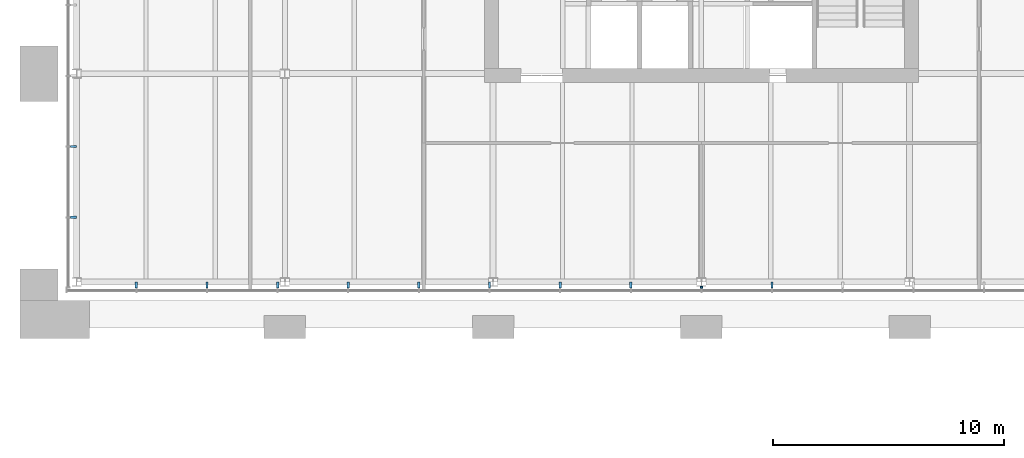
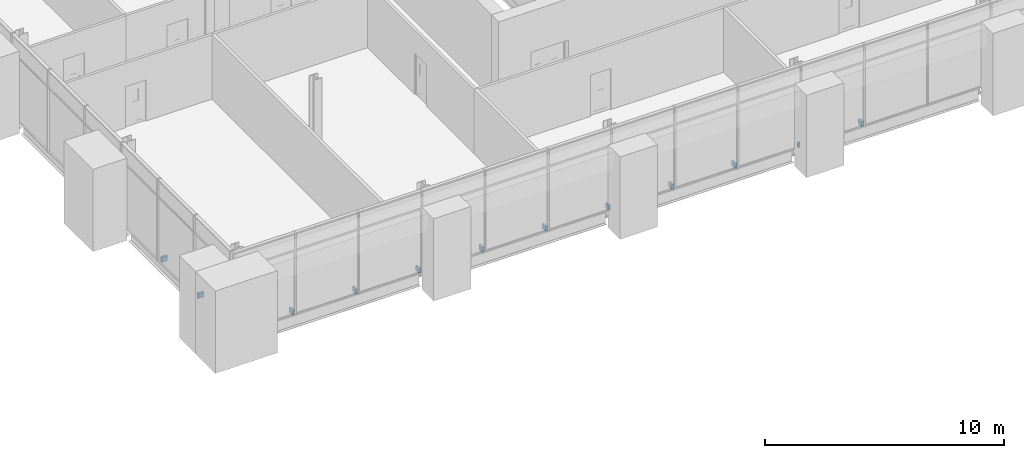
# One storey, part 32 of 43: 12 discrete accessories.
"""IFC4 building model written with IfcOpenShell, lengths in metres."""

import ifcopenshell
import ifcopenshell.guid

model = None  # the IFC model being written
_history = None  # IfcOwnerHistory: only IFC2X3 demands one
_inside = {}  # id of a spatial element -> (the spatial element, [elements in it])
_under = {}  # id of a project, library or spatial element -> (it, [spatial elements below it])
_declared = {}  # id of a project -> (the project, [libraries it declares])
_typed = {}  # id of a type object -> (the type object, [elements of that type])
_made_of = {}  # id of a material, layer set ... -> (it, [elements and type objects made of it])


def new_model(schema):
    """Start an empty IFC model of exactly this schema.

    Asked for "IFC4X3", IfcOpenShell would pick the latest addendum, in which some entities
    have other attributes; the version numbers below select the first issue.
    IFC2X3 requires an IfcOwnerHistory on every rooted entity: one is made here for all.
    """
    global model, _history
    if schema == "IFC4X3":
        model = ifcopenshell.file(schema_version=(4, 3, 0, 0))
    else:
        model = ifcopenshell.file(schema=schema)
    _inside.clear()
    _under.clear()
    _declared.clear()
    _typed.clear()
    _made_of.clear()
    _history = None
    if model.schema == "IFC2X3":
        org = make("IfcOrganization", Name="unknown")
        user = make(
            "IfcPersonAndOrganization",
            ThePerson=make("IfcPerson", FamilyName="unknown"),
            TheOrganization=org,
        )
        app = make(
            "IfcApplication",
            ApplicationDeveloper=org,
            Version="unknown",
            ApplicationFullName="unknown",
            ApplicationIdentifier="unknown",
        )
        _history = make(
            "IfcOwnerHistory",
            OwningUser=user,
            OwningApplication=app,
            ChangeAction="ADDED",
            CreationDate=0,
        )
    return model


def make(cls, **values):
    """One entity of the class cls with the attributes given. An attribute that is None is left unset."""
    return model.create_entity(
        cls, **{name: value for name, value in values.items() if value is not None}
    )


def rooted(cls, **values):
    """An entity with a GlobalId (a new one), such as an element, a storey or a relation."""
    return make(cls, GlobalId=ifcopenshell.guid.new(), OwnerHistory=_history, **values)


def si_unit(unit_type, name, prefix=None):
    """IfcSIUnit, for example si_unit("LENGTHUNIT", "METRE", prefix="MILLI")."""
    return make("IfcSIUnit", UnitType=unit_type, Prefix=prefix, Name=name)


def assignment(units):
    """IfcUnitAssignment: the units of a project."""
    return None if units is None else make("IfcUnitAssignment", Units=units)


def point(xyz):
    """IfcCartesianPoint."""
    return None if xyz is None else make("IfcCartesianPoint", Coordinates=xyz)


def direction(xyz):
    """IfcDirection."""
    return None if xyz is None else make("IfcDirection", DirectionRatios=xyz)


def frame(location, z_axis=None, x_axis=None):
    """IfcAxis2Placement3D, a coordinate frame: its origin and axes. An axis left out is left unset."""
    return make(
        "IfcAxis2Placement3D",
        Location=point(location),
        Axis=direction(z_axis),
        RefDirection=direction(x_axis),
    )


def frame_2d(location, x_axis=None):
    """IfcAxis2Placement2D, a coordinate frame in the plane: its origin and x axis."""
    return make(
        "IfcAxis2Placement2D", Location=point(location), RefDirection=direction(x_axis)
    )


def origin():
    """The frame at (0, 0, 0) with its axes left unset."""
    return frame((0.0, 0.0, 0.0))


def origin_2d():
    """The frame at (0, 0) in the plane with its x axis left unset."""
    return frame_2d((0.0, 0.0))


def place(relative_to, where):
    """IfcLocalPlacement: puts the frame where relative to a parent placement (None: the world)."""
    return make(
        "IfcLocalPlacement", PlacementRelTo=relative_to, RelativePlacement=where
    )


def context(
    kind, dimensions, precision=None, world=None, true_north=None, identifier=None
):
    """IfcGeometricRepresentationContext, for example the 3D "Model" context."""
    return make(
        "IfcGeometricRepresentationContext",
        ContextIdentifier=identifier,
        ContextType=kind,
        CoordinateSpaceDimension=dimensions,
        Precision=precision,
        WorldCoordinateSystem=world,
        TrueNorth=true_north,
    )


def subcontext(parent, identifier, kind, view, scale=None):
    """IfcGeometricRepresentationSubContext, for example "Body" below "Model"."""
    return make(
        "IfcGeometricRepresentationSubContext",
        ContextIdentifier=identifier,
        ContextType=kind,
        ParentContext=parent,
        TargetScale=scale,
        TargetView=view,
    )


def project(units=None, contexts=None):
    """IfcProject with its units and contexts."""
    return rooted(
        "IfcProject",
        Name="project",
        RepresentationContexts=contexts,
        UnitsInContext=assignment(units),
    )


def spatial(cls, under=None, at=None, **own):
    """A site, building, storey or space (cls), placed at a placement, below another one or the project."""
    s = rooted(cls, ObjectPlacement=at, **own)
    if under is not None:
        _under.setdefault(under.id(), (under, []))[1].append(s)
    return s


def profile(cls, at=None, kind="AREA", **sizes):
    """A parametric profile (cls). Its sizes go by their IFC names, for example OverallWidth=200.0."""
    return make(cls, ProfileType=kind, Position=at, **sizes)


def rectangle(**sizes):
    """IfcRectangleProfileDef."""
    return profile("IfcRectangleProfileDef", **sizes)


def extrude(swept, where, along, depth):
    """IfcExtrudedAreaSolid: the profile swept, set in the frame where, extruded along a direction by depth."""
    return make(
        "IfcExtrudedAreaSolid",
        SweptArea=swept,
        Position=where,
        ExtrudedDirection=direction(along),
        Depth=depth,
    )


def shape(context_of_items, identifier, shape_type, items):
    """IfcShapeRepresentation: the items that make up one representation, for example the "Body"."""
    return make(
        "IfcShapeRepresentation",
        ContextOfItems=context_of_items,
        RepresentationIdentifier=identifier,
        RepresentationType=shape_type,
        Items=items,
    )


def material(Name=None, Category=None):
    """IfcMaterial."""
    return make("IfcMaterial", Name=Name, Category=Category)


def made_of(thing, what):
    """Note that an element or type object is made of a material, layer set ...; save() writes the relation."""
    if what is not None:
        _made_of.setdefault(what.id(), (what, []))[1].append(thing)
    return thing


def type_object(cls, material=None, **own):
    """A type object (cls), such as IfcWallType, which elements share."""
    return made_of(rooted(cls, **own), material)


def element(
    cls,
    number,
    at=None,
    inside=None,
    cuts=None,
    type_object=None,
    material=None,
    context=None,
    identifier="Body",
    shape_type=None,
    held_by="IfcProductDefinitionShape",
    body=None,
    shapes=None,
    **own,
):
    """One element of the class cls, such as IfcWall. Its Tag is "e" and its number.

    at: its placement. inside: the storey or other place that contains it. cuts: it is an
    opening in that element (IfcRelVoidsElement). A single representation is given by context,
    identifier, shape_type and body (its items); several are given by shapes. held_by: the class
    of the entity that holds the representations. save() writes the other relations.
    """
    e = rooted(cls, Tag="e%d" % number, ObjectPlacement=at, **own)
    if body is not None:
        shapes = [shape(context, identifier, shape_type, body)]
    if shapes is not None:
        e.Representation = make(held_by, Representations=shapes)
    if inside is not None:
        _inside.setdefault(inside.id(), (inside, []))[1].append(e)
    if cuts is not None:
        rooted(
            "IfcRelVoidsElement", RelatingBuildingElement=cuts, RelatedOpeningElement=e
        )
    if type_object is not None:
        _typed.setdefault(type_object.id(), (type_object, []))[1].append(e)
    return made_of(e, material)


def aggregate(whole, parts):
    """IfcRelAggregates: a whole, such as a stair, and the parts it consists of."""
    return rooted("IfcRelAggregates", RelatingObject=whole, RelatedObjects=parts)


def save(model, path):
    """Write the relations noted so far, then the file.

    IfcRelAggregates (storeys below a building ...), IfcRelContainedInSpatialStructure (elements
    in a storey), IfcRelDefinesByType, IfcRelAssociatesMaterial and IfcRelDeclares: one each for
    every whole, place, type object, material and project.
    """
    for whole, parts in _under.values():
        aggregate(whole, parts)
    for where, things in _inside.values():
        rooted(
            "IfcRelContainedInSpatialStructure",
            RelatedElements=things,
            RelatingStructure=where,
        )
    for kind, things in _typed.values():
        rooted("IfcRelDefinesByType", RelatedObjects=things, RelatingType=kind)
    for what, things in _made_of.values():
        rooted("IfcRelAssociatesMaterial", RelatedObjects=things, RelatingMaterial=what)
    for by, libraries in _declared.values():
        rooted("IfcRelDeclares", RelatingContext=by, RelatedDefinitions=libraries)
    model.write(path)


model = new_model("IFC4")

# Units and contexts
model_context = context("Model", 3, precision=1e-05, world=origin(), true_north=direction((0.0, 1.0)))
body_context = subcontext(model_context, "Body", "Model", "MODEL_VIEW")
ifc_project = project(units=[si_unit("LENGTHUNIT", "METRE"), si_unit("AREAUNIT", "SQUARE_METRE"), si_unit("VOLUMEUNIT", "CUBIC_METRE"), si_unit("PLANEANGLEUNIT", "RADIAN"), si_unit("MASSUNIT", "GRAM", prefix="KILO")], contexts=[model_context])

# Site, building, storey
site_placement = place(None, origin())
site = spatial("IfcSite", under=ifc_project, at=site_placement, CompositionType="ELEMENT")
building_placement = place(site_placement, origin())
building = spatial("IfcBuilding", under=site, at=building_placement, Name="Baradari Gate Terminus", CompositionType="ELEMENT")
storey_placement = place(building_placement, frame((0.0, 0.0, 20.10009765625)))
storey = spatial("IfcBuildingStorey", under=building, at=storey_placement, Name="L04", CompositionType="ELEMENT", Elevation=20.10009765625)

# Discrete accessories
ifc_material = material(Name="Aluminium 6063-T6", Category="aluminium")
discrete_accessory_type = type_object("IfcDiscreteAccessoryType", Name="Curtain wall bracket BK-1 100x250", PredefinedType="BRACKET", material=ifc_material)
for number, where, z_axis, x_axis, name in (
    (1, (11.582275390625, 116.864990234375, -0.10009765625), (0.0, 0.0, 1.0), (0.0, -1.0, 0.0), "Curtain wall bracket BK-1 L04/TS mullion 2"),
    (2, (14.634521484375, 116.864990234375, -0.10009765625), (0.0, 0.0, 1.0), (0.0, -1.0, 0.0), "Curtain wall bracket BK-1 L04/TS mullion 3"),
    (3, (17.686767578125, 116.864990234375, -0.10009765625), (0.0, 0.0, 1.0), (0.0, -1.0, 0.0), "Curtain wall bracket BK-1 L04/TS mullion 4"),
    (4, (20.73876953125, 116.864990234375, -0.10009765625), (0.0, 0.0, 1.0), (0.0, -1.0, 0.0), "Curtain wall bracket BK-1 L04/TS mullion 5"),
    (5, (23.791015625, 116.864990234375, -0.10009765625), (0.0, 0.0, 1.0), (0.0, -1.0, 0.0), "Curtain wall bracket BK-1 L04/TS mullion 6"),
    (6, (26.84326171875, 116.864990234375, -0.10009765625), (0.0, 0.0, 1.0), (0.0, -1.0, 0.0), "Curtain wall bracket BK-1 L04/TS mullion 7"),
    (7, (29.8955078125, 116.864990234375, -0.10009765625), (0.0, 0.0, 1.0), (0.0, -1.0, 0.0), "Curtain wall bracket BK-1 L04/TS mullion 8"),
    (8, (32.94775390625, 116.864990234375, -0.10009765625), (0.0, 0.0, 1.0), (0.0, -1.0, 0.0), "Curtain wall bracket BK-1 L04/TS mullion 9"),
):
    element("IfcDiscreteAccessory", number, at=place(storey_placement, frame(where, z_axis=z_axis, x_axis=x_axis)), inside=storey, type_object=discrete_accessory_type, Name=name, PredefinedType="BRACKET", context=body_context, shape_type="SweptSolid", body=[
        extrude(rectangle(XDim=0.27001953125, YDim=0.10009765625, at=origin_2d()), origin(), (0.0, 0.0, 1.0), 0.25),
    ])
discrete_accessory_placement = place(storey_placement, frame((36.0, 116.769775390625, -0.10009765625), z_axis=(0.0, 0.0, 1.0), x_axis=(0.0, -1.0, 0.0)))
element("IfcDiscreteAccessory", 9, at=discrete_accessory_placement, inside=storey, type_object=discrete_accessory_type, Name="Curtain wall bracket BK-1 L04/TS mullion 10", PredefinedType="BRACKET", context=body_context, shape_type="SweptSolid", body=[
    extrude(rectangle(XDim=0.07958984375, YDim=0.10009765625, at=origin_2d()), origin(), (0.0, 0.0, 1.0), 0.25),
])
for number, where, z_axis, x_axis, name in (
    (10, (39.05224609375, 116.864990234375, -0.10009765625), (0.0, 0.0, 1.0), (0.0, -1.0, 0.0), "Curtain wall bracket BK-1 L04/TS mullion 11"),
    (11, (8.864990234375, 119.7900390625, -0.10009765625), (0.0, 0.0, 1.0), (-1.0, 0.0, 0.0), "Curtain wall bracket BK-1 L04/TW mullion 2"),
    (12, (8.864990234375, 122.85009765625, -0.10009765625), (0.0, 0.0, 1.0), (-1.0, 0.0, 0.0), "Curtain wall bracket BK-1 L04/TW mullion 3"),
):
    element("IfcDiscreteAccessory", number, at=place(storey_placement, frame(where, z_axis=z_axis, x_axis=x_axis)), inside=storey, type_object=discrete_accessory_type, Name=name, PredefinedType="BRACKET", context=body_context, shape_type="SweptSolid", body=[
        extrude(rectangle(XDim=0.27001953125, YDim=0.10009765625, at=origin_2d()), origin(), (0.0, 0.0, 1.0), 0.25),
    ])

save(model, "model.ifc")
